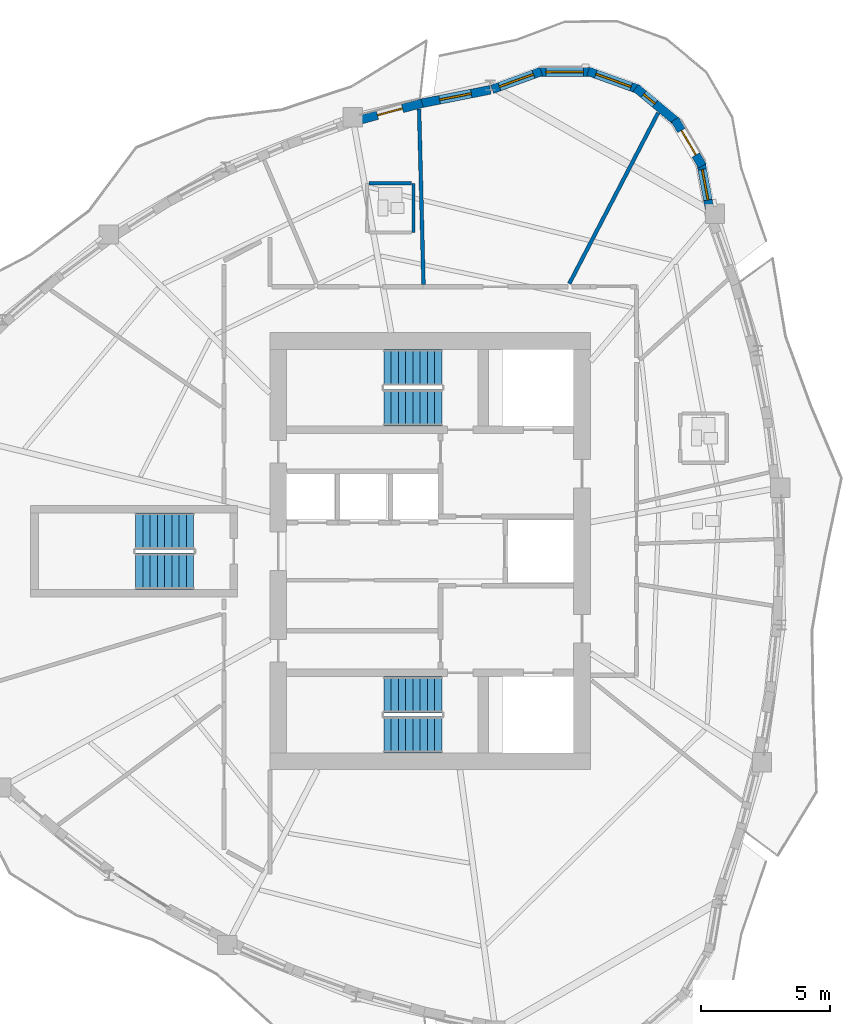
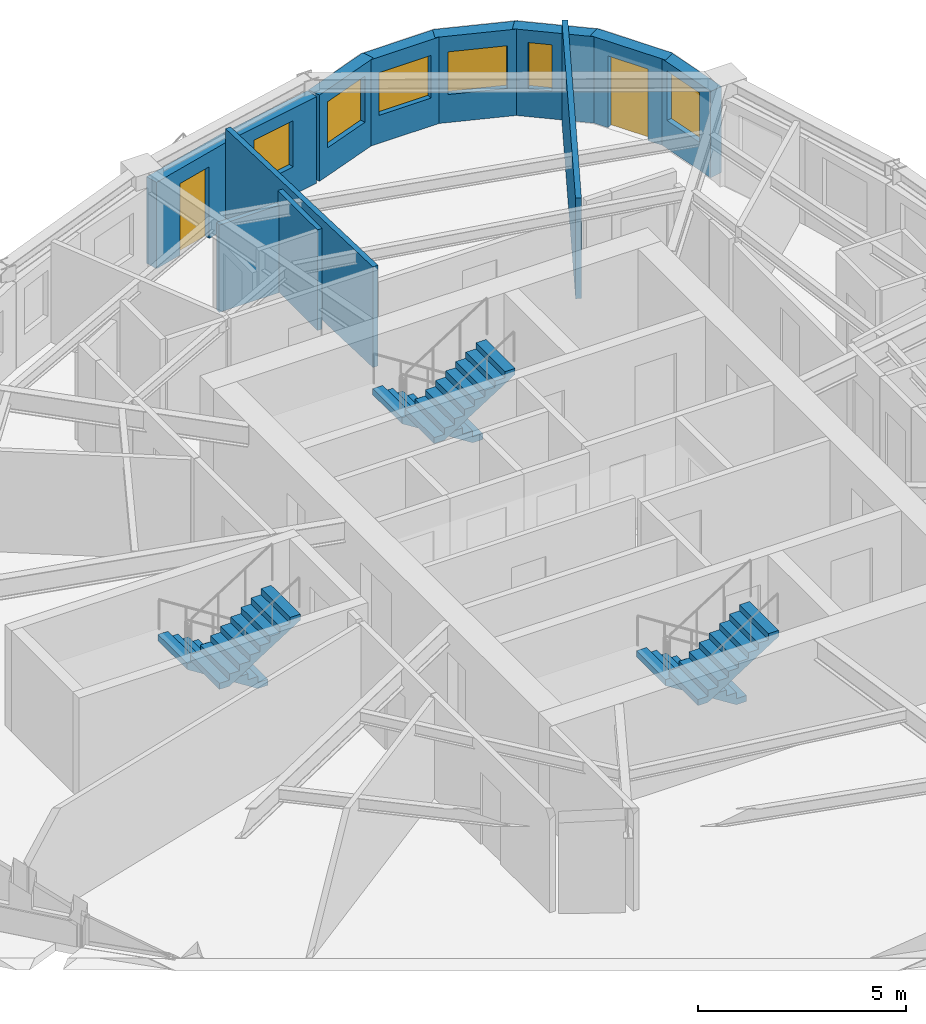
# One storey, part 9 of 13: 12 walls, 6 stair flights, 6 windows, 2 doors, 8 openings, 3 elements without a shape of their own.
"""IFC4 building model written with IfcOpenShell, lengths in metres."""

from ifc_helpers import new_model, si_unit, direction, frame, frame_2d, origin, place, context, subcontext, project, spatial, polyline, rectangle, outline, extrude, source, transform, mapped, material, layer, layer_set, type_object, element, fill, aggregate, save


model = new_model("IFC4")

# Units and contexts
model_context = context("Model", 3, precision=1e-05, world=origin(), true_north=direction((0.0, 1.0)))
body_context = subcontext(model_context, "Body", "Model", "MODEL_VIEW")
ifc_project = project(units=[si_unit("LENGTHUNIT", "METRE"), si_unit("AREAUNIT", "SQUARE_METRE"), si_unit("VOLUMEUNIT", "CUBIC_METRE"), si_unit("PLANEANGLEUNIT", "RADIAN"), si_unit("MASSUNIT", "GRAM", prefix="KILO")], contexts=[model_context])

# Site, building, storey
site_placement = place(None, origin())
site = spatial("IfcSite", under=ifc_project, at=site_placement, CompositionType="ELEMENT")
building_placement = place(site_placement, origin())
building = spatial("IfcBuilding", under=site, at=building_placement, Name="Qafzar Sky-Pleat Residences", CompositionType="ELEMENT")
storey_placement = place(building_placement, frame((0.0, 0.0, 133.0)))
storey = spatial("IfcBuildingStorey", under=building, at=storey_placement, Name="L39", CompositionType="ELEMENT", Elevation=133.0)

# Walls
ifc_material_1 = material(Name="Acoustic gypsum plasterboard partition", Category="gypsum")
ifc_layer_1 = layer(ifc_material_1, 0.14501953125)
ifc_layer_set_1 = layer_set([ifc_layer_1], Name="Acoustic gypsum plasterboard partition")
wall_type_1 = type_object("IfcWallType", Name="PART-UNIT-145", PredefinedType="PARTITIONING", material=ifc_layer_set_1)
wall_1_placement = place(storey_placement, frame((35.731689453125, 36.3505859375, 0.0), z_axis=(0.0, 0.0, 1.0), x_axis=(0.461386804, 0.887199085378, 0.0)))
element("IfcWall", 1, at=wall_1_placement, inside=storey, type_object=wall_type_1, Name="L39 Partition Wall PART-L39-PW-017", PredefinedType="PARTITIONING", context=body_context, shape_type="SweptSolid", body=[
    extrude(rectangle(XDim=7.446044921875, YDim=0.14501953125, at=frame_2d((3.72314453125, 0.0))), origin(), (0.0, 0.0, 1.0), 2.949951171875),
])
wall_2_placement = place(storey_placement, frame((29.919921875, 43.09619140625, 0.0), z_axis=(0.0, 0.0, 1.0), x_axis=(0.025211755772, -0.999682133166, 0.0)))
element("IfcWall", 2, at=wall_2_placement, inside=storey, type_object=wall_type_1, Name="L39 Partition Wall PART-L39-PW-019", PredefinedType="PARTITIONING", context=body_context, shape_type="SweptSolid", body=[
    extrude(rectangle(XDim=6.778564453125, YDim=0.14501953125, at=frame_2d((3.38916015625, 0.0))), origin(), (0.0, 0.0, 1.0), 2.949951171875),
])
ifc_material_2 = material(Name="Moisture-resistant gypsum partition", Category="gypsum")
ifc_layer_2 = layer(ifc_material_2, 0.1298828125)
ifc_layer_set_2 = layer_set([ifc_layer_2], Name="Moisture-resistant gypsum partition")
wall_type_2 = type_object("IfcWallType", Name="PART-WET-130", PredefinedType="PARTITIONING", material=ifc_layer_set_2)
wall_3_placement = place(storey_placement, frame((29.7060546875, 38.324951171875, 0.0), z_axis=(0.0, 0.0, 1.0), x_axis=(0.0, 1.0, 0.0)))
element("IfcWall", 3, at=wall_3_placement, inside=storey, type_object=wall_type_2, Name="L39 Partition Wall PART-L39-PW-028", PredefinedType="PARTITIONING", context=body_context, shape_type="SweptSolid", body=[
    extrude(rectangle(XDim=1.900146484375, YDim=0.1298828125, at=frame_2d((0.9501953125, 0.0))), origin(), (0.0, 0.0, 1.0), 2.949951171875),
])
wall_4_placement = place(storey_placement, frame((27.97900390625, 40.22509765625, 0.0), z_axis=(0.0, 0.0, 1.0), x_axis=(1.0, 0.0, 0.0)))
element("IfcWall", 4, at=wall_4_placement, inside=storey, type_object=wall_type_2, Name="L39 Partition Wall PART-L39-PW-032", PredefinedType="PARTITIONING", context=body_context, shape_type="SweptSolid", body=[
    extrude(rectangle(XDim=1.654052734375, YDim=0.1298828125, at=frame_2d((0.8271484375, 0.0))), origin(), (0.0, 0.0, 1.0), 2.55810546875),
])

# Wall, opening, window
ifc_material_3 = material(Name="Precast concrete C40/50 with honed Riyadh limestone", Category="concrete")
ifc_layer_3 = layer(ifc_material_3, 0.340087890625)
ifc_layer_set_3 = layer_set([ifc_layer_3], Name="Precast concrete C40/50 with honed Riyadh limestone")
wall_type_3 = type_object("IfcWallType", Name="WALL-EXT-340", PredefinedType="SOLIDWALL", material=ifc_layer_set_3)
wall_5_placement = place(storey_placement, frame((41.170166015625, 39.1708984375, 0.0), z_axis=(0.0, 0.0, 1.0), x_axis=(-0.182297593262, 0.983243401956, 0.0)))
wall_5 = element("IfcWall", 5, at=wall_5_placement, inside=storey, type_object=wall_type_3, Name="L39 Limestone Facade Wall 33", PredefinedType="SOLIDWALL", context=body_context, shape_type="SweptSolid", body=[
    extrude(rectangle(XDim=1.888427734375, YDim=0.340087890625, at=frame_2d((0.9443359375, 0.0))), origin(), (0.0, 0.0, 1.0), 2.530029296875),
])
opening_1_placement = place(wall_5_placement, frame((0.419189453125, 0.0, 0.820068359375)))
opening_1 = element("IfcOpeningElement", 6, at=opening_1_placement, cuts=wall_5, Name="Opening WN-05", PredefinedType="OPENING", context=body_context, shape_type="SweptSolid", body=[
    extrude(rectangle(XDim=1.199951171875, YDim=1.449951171875, at=frame_2d((0.60009765625, 0.72509765625))), frame((0.0, 0.18017578125, 0.0), z_axis=(0.0, -1.0, 0.0), x_axis=(1.0, 0.0, 0.0)), (0.0, 0.0, 1.0), 0.360107421875),
])
ifc_material_4 = material(Name="Solar-control low-E glass in bronze aluminium frame", Category="glass")
window_type_1 = type_object("IfcWindowType", Name="WIN-05", PartitioningType="SINGLE_PANEL", PredefinedType="WINDOW", material=ifc_material_4)
shared_shape_1 = source(origin(), body_context, "Body", "SweptSolid", [
    extrude(rectangle(XDim=1.199951171875, YDim=1.449951171875, at=frame_2d((0.60009765625, 0.72509765625))), frame((0.0, 0.030029296875, 0.0), z_axis=(0.0, -1.0, 0.0), x_axis=(1.0, 0.0, 0.0)), (0.0, 0.0, 1.0), 0.06005859375),
])
window_1_placement = place(opening_1_placement, origin())
window_1 = element("IfcWindow", 7, at=window_1_placement, inside=storey, type_object=window_type_1, Name="L39 Punched Facade Window 33", OverallHeight=1.449951171875, OverallWidth=1.199951171875, PartitioningType="SINGLE_PANEL", PredefinedType="WINDOW", context=body_context, shape_type="MappedRepresentation", body=[
    mapped(shared_shape_1, transform((0.0, 0.0, 0.0), x_axis=(1.0, 0.0, 0.0), y_axis=(0.0, 1.0, 0.0), z_axis=(0.0, 0.0, 1.0), scale=1.0)),
])
fill(opening_1, window_1)

# Wall, opening, door
wall_6_placement = place(storey_placement, frame((40.87255859375, 40.90234375, 0.0), z_axis=(0.0, 0.0, 1.0), x_axis=(-0.506225227923, 0.862401309493, 0.0)))
wall_6 = element("IfcWall", 8, at=wall_6_placement, inside=storey, type_object=wall_type_3, Name="L39 Limestone Facade Wall 34", PredefinedType="SOLIDWALL", context=body_context, shape_type="SweptSolid", body=[
    extrude(rectangle(XDim=2.0810546875, YDim=0.340087890625, at=frame_2d((1.04052734375, 0.0))), origin(), (0.0, 0.0, 1.0), 2.530029296875),
])
opening_2_placement = place(wall_6_placement, frame((0.490478515625, 0.0, 0.0)))
opening_2 = element("IfcOpeningElement", 9, at=opening_2_placement, cuts=wall_6, Name="Opening ED-06", PredefinedType="OPENING", context=body_context, shape_type="SweptSolid", body=[
    extrude(rectangle(XDim=1.10009765625, YDim=2.10009765625, at=frame_2d((0.550048828125, 1.050048828125))), frame((0.0, 0.18017578125, 0.0), z_axis=(0.0, -1.0, 0.0), x_axis=(1.0, 0.0, 0.0)), (0.0, 0.0, 1.0), 0.360107421875),
])
ifc_material_5 = material(Name="Glazed bronze aluminium door", Category="aluminium")
door_type_1 = type_object("IfcDoorType", Name="DR-BAL-1100", OperationType="NOTDEFINED", PredefinedType="DOOR", material=ifc_material_5)
shared_shape_2 = source(origin(), body_context, "Body", "SweptSolid", [
    extrude(rectangle(XDim=1.10009765625, YDim=2.10009765625, at=frame_2d((0.550048828125, 1.050048828125))), frame((0.0, 0.02490234375, 0.0), z_axis=(0.0, -1.0, 0.0), x_axis=(1.0, 0.0, 0.0)), (0.0, 0.0, 1.0), 0.050048828125),
])
door_1_placement = place(opening_2_placement, origin())
door_1 = element("IfcDoor", 10, at=door_1_placement, inside=storey, type_object=door_type_1, Name="L39 Terrace Glazed Door 2", OperationType="SINGLE_SWING_LEFT", OverallHeight=2.10009765625, OverallWidth=1.10009765625, PredefinedType="DOOR", context=body_context, shape_type="MappedRepresentation", body=[
    mapped(shared_shape_2, transform((0.0, 0.0, 0.0), x_axis=(1.0, 0.0, 0.0), y_axis=(0.0, 1.0, 0.0), z_axis=(0.0, 0.0, 1.0), scale=1.0)),
])
fill(opening_2, door_1)

# Wall, opening, window
wall_7_placement = place(storey_placement, frame((39.905517578125, 42.59521484375, 0.0), z_axis=(0.0, 0.0, 1.0), x_axis=(-0.769584999316, 0.638544382817, 0.0)))
wall_7 = element("IfcWall", 11, at=wall_7_placement, inside=storey, type_object=wall_type_3, Name="L39 Limestone Facade Wall 35", PredefinedType="SOLIDWALL", context=body_context, shape_type="SweptSolid", body=[
    extrude(rectangle(XDim=2.0810546875, YDim=0.340087890625, at=frame_2d((1.04052734375, 0.0))), origin(), (0.0, 0.0, 1.0), 2.530029296875),
])
opening_3_placement = place(wall_7_placement, frame((1.11376953125, 0.0, 0.820068359375)))
opening_3 = element("IfcOpeningElement", 12, at=opening_3_placement, cuts=wall_7, Name="Opening WN-17", PredefinedType="OPENING", context=body_context, shape_type="SweptSolid", body=[
    extrude(rectangle(XDim=0.580078125, YDim=1.35009765625, at=frame_2d((0.2900390625, 0.675048828125))), frame((0.0, 0.18017578125, 0.0), z_axis=(0.0, -1.0, 0.0), x_axis=(1.0, 0.0, 0.0)), (0.0, 0.0, 1.0), 0.360107421875),
])
window_type_2 = type_object("IfcWindowType", Name="WIN-17", PartitioningType="SINGLE_PANEL", PredefinedType="WINDOW", material=ifc_material_4)
shared_shape_3 = source(origin(), body_context, "Body", "SweptSolid", [
    extrude(rectangle(XDim=0.580078125, YDim=1.35009765625, at=frame_2d((0.2900390625, 0.675048828125))), frame((0.0, 0.030029296875, 0.0), z_axis=(0.0, -1.0, 0.0), x_axis=(1.0, 0.0, 0.0)), (0.0, 0.0, 1.0), 0.06005859375),
])
window_2_placement = place(opening_3_placement, origin())
window_2 = element("IfcWindow", 13, at=window_2_placement, inside=storey, type_object=window_type_2, Name="L39 Punched Facade Window 35-2", OverallHeight=1.35009765625, OverallWidth=0.580078125, PartitioningType="SINGLE_PANEL", PredefinedType="WINDOW", context=body_context, shape_type="MappedRepresentation", body=[
    mapped(shared_shape_3, transform((0.0, 0.0, 0.0), x_axis=(1.0, 0.0, 0.0), y_axis=(0.0, 1.0, 0.0), z_axis=(0.0, 0.0, 1.0), scale=1.0)),
])
fill(opening_3, window_2)

wall_8_placement = place(storey_placement, frame((38.419921875, 43.85791015625, 0.0), z_axis=(0.0, 0.0, 1.0), x_axis=(-0.941071215914, 0.338208466153, 0.0)))
wall_8 = element("IfcWall", 14, at=wall_8_placement, inside=storey, type_object=wall_type_3, Name="L39 Limestone Facade Wall 36", PredefinedType="SOLIDWALL", context=body_context, shape_type="SweptSolid", body=[
    extrude(rectangle(XDim=2.0810546875, YDim=0.340087890625, at=frame_2d((1.04052734375, 0.0))), origin(), (0.0, 0.0, 1.0), 2.530029296875),
])
opening_4_placement = place(wall_8_placement, frame((0.315673828125, 0.0, 0.820068359375)))
opening_4 = element("IfcOpeningElement", 15, at=opening_4_placement, cuts=wall_8, Name="Opening WN-15", PredefinedType="OPENING", context=body_context, shape_type="SweptSolid", body=[
    extrude(rectangle(XDim=1.449951171875, YDim=1.25, at=frame_2d((0.72509765625, 0.625))), frame((0.0, 0.18017578125, 0.0), z_axis=(0.0, -1.0, 0.0), x_axis=(1.0, 0.0, 0.0)), (0.0, 0.0, 1.0), 0.360107421875),
])
window_type_3 = type_object("IfcWindowType", Name="WIN-15", PartitioningType="SINGLE_PANEL", PredefinedType="WINDOW", material=ifc_material_4)
shared_shape_4 = source(origin(), body_context, "Body", "SweptSolid", [
    extrude(rectangle(XDim=1.449951171875, YDim=1.25, at=frame_2d((0.72509765625, 0.625))), frame((0.0, 0.030029296875, 0.0), z_axis=(0.0, -1.0, 0.0), x_axis=(1.0, 0.0, 0.0)), (0.0, 0.0, 1.0), 0.06005859375),
])
window_3_placement = place(opening_4_placement, origin())
window_3 = element("IfcWindow", 16, at=window_3_placement, inside=storey, type_object=window_type_3, Name="L39 Punched Facade Window 36", OverallHeight=1.25, OverallWidth=1.449951171875, PartitioningType="SINGLE_PANEL", PredefinedType="WINDOW", context=body_context, shape_type="MappedRepresentation", body=[
    mapped(shared_shape_4, transform((0.0, 0.0, 0.0), x_axis=(1.0, 0.0, 0.0), y_axis=(0.0, 1.0, 0.0), z_axis=(0.0, 0.0, 1.0), scale=1.0)),
])
fill(opening_4, window_3)

wall_9_placement = place(storey_placement, frame((36.593017578125, 44.5390625, 0.0), z_axis=(0.0, 0.0, 1.0), x_axis=(-0.999996965272, -0.002463624621, 0.0)))
wall_9 = element("IfcWall", 17, at=wall_9_placement, inside=storey, type_object=wall_type_3, Name="L39 Limestone Facade Wall 37", PredefinedType="SOLIDWALL", context=body_context, shape_type="SweptSolid", body=[
    extrude(rectangle(XDim=2.0810546875, YDim=0.340087890625, at=frame_2d((1.04052734375, 0.0))), origin(), (0.0, 0.0, 1.0), 2.530029296875),
])
opening_5_placement = place(wall_9_placement, frame((0.315673828125, 0.0, 0.820068359375)))
opening_5 = element("IfcOpeningElement", 18, at=opening_5_placement, cuts=wall_9, Name="Opening WN-15", PredefinedType="OPENING", context=body_context, shape_type="SweptSolid", body=[
    extrude(rectangle(XDim=1.449951171875, YDim=1.25, at=frame_2d((0.72509765625, 0.625))), frame((0.0, 0.18017578125, 0.0), z_axis=(0.0, -1.0, 0.0), x_axis=(1.0, 0.0, 0.0)), (0.0, 0.0, 1.0), 0.360107421875),
])
window_4_placement = place(opening_5_placement, origin())
window_4 = element("IfcWindow", 19, at=window_4_placement, inside=storey, type_object=window_type_3, Name="L39 Punched Facade Window 37", OverallHeight=1.25, OverallWidth=1.449951171875, PartitioningType="SINGLE_PANEL", PredefinedType="WINDOW", context=body_context, shape_type="MappedRepresentation", body=[
    mapped(shared_shape_4, transform((0.0, 0.0, 0.0), x_axis=(1.0, 0.0, 0.0), y_axis=(0.0, 1.0, 0.0), z_axis=(0.0, 0.0, 1.0), scale=1.0)),
])
fill(opening_5, window_4)

wall_10_placement = place(storey_placement, frame((34.6435546875, 44.557373046875, 0.0), z_axis=(0.0, 0.0, 1.0), x_axis=(-0.939440593615, -0.342711790092, 0.0)))
wall_10 = element("IfcWall", 20, at=wall_10_placement, inside=storey, type_object=wall_type_3, Name="L39 Limestone Facade Wall 38", PredefinedType="SOLIDWALL", context=body_context, shape_type="SweptSolid", body=[
    extrude(rectangle(XDim=2.023193359375, YDim=0.340087890625, at=frame_2d((1.01171875, 0.0))), origin(), (0.0, 0.0, 1.0), 2.530029296875),
])
opening_6_placement = place(wall_10_placement, frame((0.321533203125, 0.0, 0.820068359375)))
opening_6 = element("IfcOpeningElement", 21, at=opening_6_placement, cuts=wall_10, Name="Opening WN-10", PredefinedType="OPENING", context=body_context, shape_type="SweptSolid", body=[
    extrude(rectangle(XDim=1.39990234375, YDim=1.35009765625, at=frame_2d((0.699951171875, 0.675048828125))), frame((0.0, 0.18017578125, 0.0), z_axis=(0.0, -1.0, 0.0), x_axis=(1.0, 0.0, 0.0)), (0.0, 0.0, 1.0), 0.360107421875),
])
window_type_4 = type_object("IfcWindowType", Name="WIN-10", PartitioningType="SINGLE_PANEL", PredefinedType="WINDOW", material=ifc_material_4)
shared_shape_5 = source(origin(), body_context, "Body", "SweptSolid", [
    extrude(rectangle(XDim=1.39990234375, YDim=1.35009765625, at=frame_2d((0.699951171875, 0.675048828125))), frame((0.0, 0.030029296875, 0.0), z_axis=(0.0, -1.0, 0.0), x_axis=(1.0, 0.0, 0.0)), (0.0, 0.0, 1.0), 0.06005859375),
])
window_5_placement = place(opening_6_placement, origin())
window_5 = element("IfcWindow", 22, at=window_5_placement, inside=storey, type_object=window_type_4, Name="L39 Punched Facade Window 38", OverallHeight=1.35009765625, OverallWidth=1.39990234375, PartitioningType="SINGLE_PANEL", PredefinedType="WINDOW", context=body_context, shape_type="MappedRepresentation", body=[
    mapped(shared_shape_5, transform((0.0, 0.0, 0.0), x_axis=(1.0, 0.0, 0.0), y_axis=(0.0, 1.0, 0.0), z_axis=(0.0, 0.0, 1.0), scale=1.0)),
])
fill(opening_6, window_5)

wall_11_placement = place(storey_placement, frame((32.67919921875, 43.845947265625, 0.0), z_axis=(0.0, 0.0, 1.0), x_axis=(-0.981247929568, -0.192749839736, 0.0)))
wall_11 = element("IfcWall", 23, at=wall_11_placement, inside=storey, type_object=wall_type_3, Name="L39 Limestone Facade Wall 39", PredefinedType="SOLIDWALL", context=body_context, shape_type="SweptSolid", body=[
    extrude(rectangle(XDim=2.7763671875, YDim=0.340087890625, at=frame_2d((1.38818359375, 0.0))), origin(), (0.0, 0.0, 1.0), 2.530029296875),
])
opening_7_placement = place(wall_11_placement, frame((0.753173828125, 0.0, 0.820068359375)))
opening_7 = element("IfcOpeningElement", 24, at=opening_7_placement, cuts=wall_11, Name="Opening WN-11", PredefinedType="OPENING", context=body_context, shape_type="SweptSolid", body=[
    extrude(rectangle(XDim=1.25, YDim=1.35009765625, at=frame_2d((0.625, 0.675048828125))), frame((0.0, 0.18017578125, 0.0), z_axis=(0.0, -1.0, 0.0), x_axis=(1.0, 0.0, 0.0)), (0.0, 0.0, 1.0), 0.360107421875),
])
window_type_5 = type_object("IfcWindowType", Name="WIN-11", PartitioningType="SINGLE_PANEL", PredefinedType="WINDOW", material=ifc_material_4)
shared_shape_6 = source(origin(), body_context, "Body", "SweptSolid", [
    extrude(rectangle(XDim=1.25, YDim=1.35009765625, at=frame_2d((0.625, 0.675048828125))), frame((0.0, 0.030029296875, 0.0), z_axis=(0.0, -1.0, 0.0), x_axis=(1.0, 0.0, 0.0)), (0.0, 0.0, 1.0), 0.06005859375),
])
window_6_placement = place(opening_7_placement, origin())
window_6 = element("IfcWindow", 25, at=window_6_placement, inside=storey, type_object=window_type_5, Name="L39 Punched Facade Window 39", OverallHeight=1.35009765625, OverallWidth=1.25, PartitioningType="SINGLE_PANEL", PredefinedType="WINDOW", context=body_context, shape_type="MappedRepresentation", body=[
    mapped(shared_shape_6, transform((0.0, 0.0, 0.0), x_axis=(1.0, 0.0, 0.0), y_axis=(0.0, 1.0, 0.0), z_axis=(0.0, 0.0, 1.0), scale=1.0)),
])
fill(opening_7, window_6)

# Wall, opening, door
wall_12_placement = place(storey_placement, frame((30.040283203125, 43.33056640625, 0.0), z_axis=(0.0, 0.0, 1.0), x_axis=(-0.965460468502, -0.260549580233, 0.0)))
wall_12 = element("IfcWall", 26, at=wall_12_placement, inside=storey, type_object=wall_type_3, Name="L39 Limestone Facade Wall 40", PredefinedType="SOLIDWALL", context=body_context, shape_type="SweptSolid", body=[
    extrude(rectangle(XDim=2.583251953125, YDim=0.340087890625, at=frame_2d((1.29150390625, 0.0))), origin(), (0.0, 0.0, 1.0), 2.530029296875),
])
opening_8_placement = place(wall_12_placement, frame((0.791748046875, 0.0, 0.0)))
opening_8 = element("IfcOpeningElement", 27, at=opening_8_placement, cuts=wall_12, Name="Opening ED-05", PredefinedType="OPENING", context=body_context, shape_type="SweptSolid", body=[
    extrude(rectangle(XDim=1.0, YDim=2.10009765625, at=frame_2d((0.5, 1.050048828125))), frame((0.0, 0.18017578125, 0.0), z_axis=(0.0, -1.0, 0.0), x_axis=(1.0, 0.0, 0.0)), (0.0, 0.0, 1.0), 0.360107421875),
])
door_type_2 = type_object("IfcDoorType", Name="DR-BAL-1000", OperationType="NOTDEFINED", PredefinedType="DOOR", material=ifc_material_5)
shared_shape_7 = source(origin(), body_context, "Body", "SweptSolid", [
    extrude(rectangle(XDim=1.0, YDim=2.10009765625, at=frame_2d((0.5, 1.050048828125))), frame((0.0, 0.02490234375, 0.0), z_axis=(0.0, -1.0, 0.0), x_axis=(1.0, 0.0, 0.0)), (0.0, 0.0, 1.0), 0.050048828125),
])
door_2_placement = place(opening_8_placement, origin())
door_2 = element("IfcDoor", 28, at=door_2_placement, inside=storey, type_object=door_type_2, Name="L39 Glazed Balcony Door 2", OperationType="SINGLE_SWING_LEFT", OverallHeight=2.10009765625, OverallWidth=1.0, PredefinedType="DOOR", context=body_context, shape_type="MappedRepresentation", body=[
    mapped(shared_shape_7, transform((0.0, 0.0, 0.0), x_axis=(1.0, 0.0, 0.0), y_axis=(0.0, 1.0, 0.0), z_axis=(0.0, 0.0, 1.0), scale=1.0)),
])
fill(opening_8, door_2)

# Stair, stair flights
ifc_material_6 = material(Name="Concrete C40/50", Category="concrete")
stair_type = type_object("IfcStairType", Name="STAIR-H320", PredefinedType="HALF_TURN_STAIR", material=ifc_material_6)
stair_1_placement = place(storey_placement, origin())
stair_1 = element("IfcStair", 29, at=stair_1_placement, inside=storey, type_object=stair_type, Name="L39 Protected Exit Stair ST1", PredefinedType="HALF_TURN_STAIR")
stair_flight_type = type_object("IfcStairFlightType", Name="FLIGHT-H320", PredefinedType="STRAIGHT", material=ifc_material_6)
shared_shape_8 = source(origin(), body_context, "Body", "SweptSolid", [
    extrude(outline(polyline([(0.0, 0.0), (0.0, 0.177734375), (0.280029296875, 0.177734375), (0.280029296875, 0.35546875), (0.56005859375, 0.35546875), (0.56005859375, 0.533447265625), (0.840087890625, 0.533447265625), (0.840087890625, 0.711181640625), (1.1201171875, 0.711181640625), (1.1201171875, 0.888916015625), (1.39990234375, 0.888916015625), (1.39990234375, 1.066650390625), (1.679931640625, 1.066650390625), (1.679931640625, 1.244384765625), (1.9599609375, 1.244384765625), (1.9599609375, 1.422119140625), (2.239990234375, 1.422119140625), (2.239990234375, 1.60009765625), (2.239990234375, 1.24462890625), (0.27978515625, 0.0), (0.0, 0.0)])), frame((0.0, 0.699951171875, 0.0), z_axis=(0.0, -1.0, 0.0), x_axis=(1.0, 0.0, 0.0)), (0.0, 0.0, 1.0), 1.39990234375),
])
stair_flight_1_placement = place(storey_placement, frame((30.800048828125, 20.449951171875, 0.0), z_axis=(0.0, 0.0, 1.0), x_axis=(-1.0, 0.0, 0.0)))
stair_flight_1 = element("IfcStairFlight", 30, at=stair_flight_1_placement, type_object=stair_flight_type, Name="ST1 flight 1", NumberOfRisers=9, NumberOfTreads=8, PredefinedType="STRAIGHT", RiserHeight=0.177777778, TreadLength=0.28, context=body_context, shape_type="MappedRepresentation", body=[
    mapped(shared_shape_8, transform((0.0, 0.0, 0.0), x_axis=(1.0, 0.0, 0.0), y_axis=(0.0, 1.0, 0.0), z_axis=(0.0, 0.0, 1.0), scale=1.0)),
])
stair_flight_2_placement = place(storey_placement, frame((28.56005859375, 18.89990234375, 1.60009765625), z_axis=(0.0, 0.0, 1.0), x_axis=(1.0, 0.0, 0.0)))
stair_flight_2 = element("IfcStairFlight", 31, at=stair_flight_2_placement, type_object=stair_flight_type, Name="ST1 flight 2", NumberOfRisers=9, NumberOfTreads=8, PredefinedType="STRAIGHT", RiserHeight=0.177777778, TreadLength=0.28, context=body_context, shape_type="MappedRepresentation", body=[
    mapped(shared_shape_8, transform((0.0, 0.0, 0.0), x_axis=(1.0, 0.0, 0.0), y_axis=(0.0, 1.0, 0.0), z_axis=(0.0, 0.0, 1.0), scale=1.0)),
])
aggregate(stair_1, [stair_flight_1, stair_flight_2])

stair_2_placement = place(storey_placement, origin())
stair_2 = element("IfcStair", 32, at=stair_2_placement, inside=storey, type_object=stair_type, Name="L39 Protected Exit Stair ST2", PredefinedType="HALF_TURN_STAIR")
stair_flight_3_placement = place(storey_placement, frame((30.800048828125, 33.10009765625, 0.0), z_axis=(0.0, 0.0, 1.0), x_axis=(-1.0, 0.0, 0.0)))
stair_flight_3 = element("IfcStairFlight", 33, at=stair_flight_3_placement, type_object=stair_flight_type, Name="ST2 flight 1", NumberOfRisers=9, NumberOfTreads=8, PredefinedType="STRAIGHT", RiserHeight=0.177777778, TreadLength=0.28, context=body_context, shape_type="MappedRepresentation", body=[
    mapped(shared_shape_8, transform((0.0, 0.0, 0.0), x_axis=(1.0, 0.0, 0.0), y_axis=(0.0, 1.0, 0.0), z_axis=(0.0, 0.0, 1.0), scale=1.0)),
])
stair_flight_4_placement = place(storey_placement, frame((28.56005859375, 31.550048828125, 1.60009765625), z_axis=(0.0, 0.0, 1.0), x_axis=(1.0, 0.0, 0.0)))
stair_flight_4 = element("IfcStairFlight", 34, at=stair_flight_4_placement, type_object=stair_flight_type, Name="ST2 flight 2", NumberOfRisers=9, NumberOfTreads=8, PredefinedType="STRAIGHT", RiserHeight=0.177777778, TreadLength=0.28, context=body_context, shape_type="MappedRepresentation", body=[
    mapped(shared_shape_8, transform((0.0, 0.0, 0.0), x_axis=(1.0, 0.0, 0.0), y_axis=(0.0, 1.0, 0.0), z_axis=(0.0, 0.0, 1.0), scale=1.0)),
])
aggregate(stair_2, [stair_flight_3, stair_flight_4])

stair_3_placement = place(storey_placement, origin())
stair_3 = element("IfcStair", 35, at=stair_3_placement, inside=storey, type_object=stair_type, Name="L39 Protected Exit Stair ST3", PredefinedType="HALF_TURN_STAIR")
stair_flight_5_placement = place(storey_placement, frame((21.199951171875, 26.77490234375, 0.0), z_axis=(0.0, 0.0, 1.0), x_axis=(-1.0, 0.0, 0.0)))
stair_flight_5 = element("IfcStairFlight", 36, at=stair_flight_5_placement, type_object=stair_flight_type, Name="ST3 flight 1", NumberOfRisers=9, NumberOfTreads=8, PredefinedType="STRAIGHT", RiserHeight=0.177777778, TreadLength=0.28, context=body_context, shape_type="MappedRepresentation", body=[
    mapped(shared_shape_8, transform((0.0, 0.0, 0.0), x_axis=(1.0, 0.0, 0.0), y_axis=(0.0, 1.0, 0.0), z_axis=(0.0, 0.0, 1.0), scale=1.0)),
])
stair_flight_6_placement = place(storey_placement, frame((18.9599609375, 25.22509765625, 1.60009765625), z_axis=(0.0, 0.0, 1.0), x_axis=(1.0, 0.0, 0.0)))
stair_flight_6 = element("IfcStairFlight", 37, at=stair_flight_6_placement, type_object=stair_flight_type, Name="ST3 flight 2", NumberOfRisers=9, NumberOfTreads=8, PredefinedType="STRAIGHT", RiserHeight=0.177777778, TreadLength=0.28, context=body_context, shape_type="MappedRepresentation", body=[
    mapped(shared_shape_8, transform((0.0, 0.0, 0.0), x_axis=(1.0, 0.0, 0.0), y_axis=(0.0, 1.0, 0.0), z_axis=(0.0, 0.0, 1.0), scale=1.0)),
])
aggregate(stair_3, [stair_flight_5, stair_flight_6])

save(model, "model.ifc")
